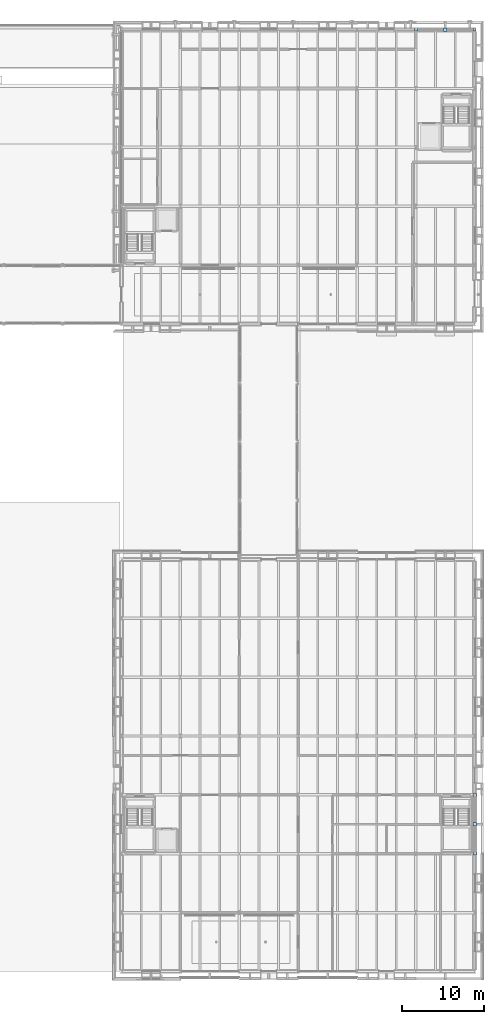
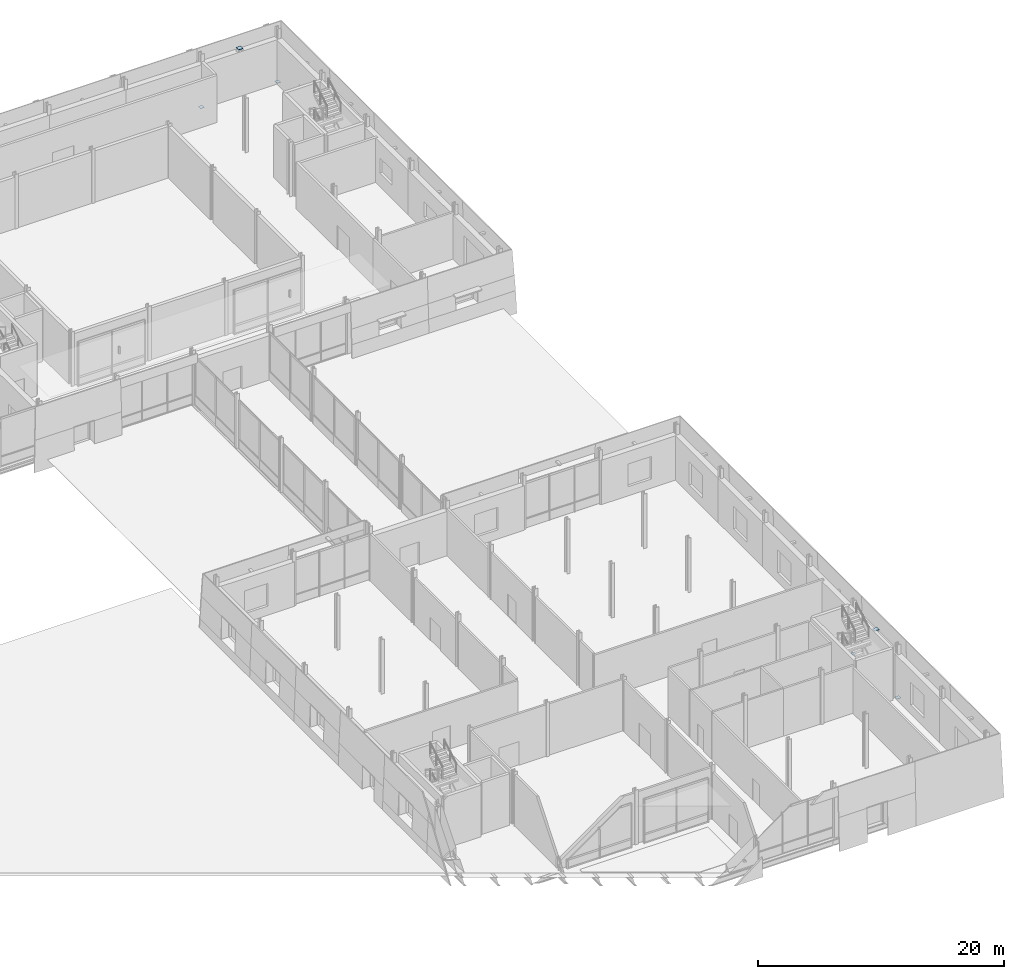
# One storey, part 66 of 120: 6 plates.
"""IFC4 building model written with IfcOpenShell, lengths in metres."""

from ifc_helpers import new_model, si_unit, direction, frame, origin, origin_2d, place, context, subcontext, project, spatial, rectangle, extrude, material, layer, layer_set, type_object, element, save


model = new_model("IFC4")

# Units and contexts
model_context = context("Model", 3, precision=1e-05, world=origin(), true_north=direction((0.0, 1.0)))
body_context = subcontext(model_context, "Body", "Model", "MODEL_VIEW")
ifc_project = project(units=[si_unit("LENGTHUNIT", "METRE"), si_unit("AREAUNIT", "SQUARE_METRE"), si_unit("VOLUMEUNIT", "CUBIC_METRE"), si_unit("PLANEANGLEUNIT", "RADIAN"), si_unit("MASSUNIT", "GRAM", prefix="KILO")], contexts=[model_context])

# Site, building, storey
site_placement = place(None, origin())
site = spatial("IfcSite", under=ifc_project, at=site_placement, CompositionType="ELEMENT")
building_placement = place(site_placement, origin())
building = spatial("IfcBuilding", under=site, at=building_placement, Name="Narikvali Park Central Library", CompositionType="ELEMENT")
storey_placement = place(building_placement, origin())
storey = spatial("IfcBuildingStorey", under=building, at=storey_placement, Name="L00", CompositionType="ELEMENT", Elevation=0.0)

# Plates
ifc_material = material(Name="Steel S355", Category="steel")
ifc_layer_1 = layer(ifc_material, 0.013916015625, Name="Steel S355")
ifc_layer_set_1 = layer_set([ifc_layer_1], Name="Steel S355")
plate_type_1 = type_object("IfcPlateType", Name="Steel Hollow End Cap Plate 14", PredefinedType="SHEET", material=ifc_layer_set_1)
for number, where, z_axis, x_axis, name in (
    (1, (158.41259765625, 115.199951171875, 0.0048828125), (0.0, 0.0, 1.0), (1.0, 0.0, 0.0), "Hollow Section Steel End Cap BR-ECAP-5-L00-A0"),
    (2, (165.58740234375, 115.199951171875, 0.0048828125), (0.0, 0.0, 1.0), (1.0, 0.0, 0.0), "Hollow Section Steel End Cap BR-ECAP-5-L00-B0"),
    (3, (165.60009765625, 14.41259765625, 0.0048828125), (0.0, 0.0, 1.0), (1.0, 0.0, 0.0), "Hollow Section Steel End Cap BR-ECAP-6-L00-A0"),
    (4, (165.60009765625, 21.58740234375, 0.0048828125), (0.0, 0.0, 1.0), (1.0, 0.0, 0.0), "Hollow Section Steel End Cap BR-ECAP-6-L00-B0"),
):
    element("IfcPlate", number, at=place(storey_placement, frame(where, z_axis=z_axis, x_axis=x_axis)), inside=storey, type_object=plate_type_1, Name=name, PredefinedType="SHEET", context=body_context, shape_type="SweptSolid", body=[
        extrude(rectangle(XDim=0.3798828125, YDim=0.3798828125, at=origin_2d()), origin(), (0.0, 0.0, 1.0), 0.013916015625),
    ])
ifc_layer_2 = layer(ifc_material, 0.0380859375, Name="Steel S355")
ifc_layer_set_2 = layer_set([ifc_layer_2], Name="Steel S355")
plate_type_2 = type_object("IfcPlateType", Name="Truss Splice Gusset Plate 38", PredefinedType="SHEET", material=ifc_layer_set_2)
for number, where, z_axis, x_axis, name in (
    (5, (162.0, 115.199951171875, 4.5810546875), (0.0, 0.0, 1.0), (1.0, 0.0, 0.0), "V3 L00 Chevron Apex Gusset Cap Plate"),
    (6, (165.60009765625, 18.0, 4.5810546875), (0.0, 0.0, 1.0), (1.0, 0.0, 0.0), "V6 L00 Chevron Apex Gusset Cap Plate"),
):
    element("IfcPlate", number, at=place(storey_placement, frame(where, z_axis=z_axis, x_axis=x_axis)), inside=storey, type_object=plate_type_2, Name=name, PredefinedType="SHEET", context=body_context, shape_type="SweptSolid", body=[
        extrude(rectangle(XDim=0.419921875, YDim=0.419921875, at=origin_2d()), origin(), (0.0, 0.0, 1.0), 0.0380859375),
    ])

save(model, "model.ifc")
